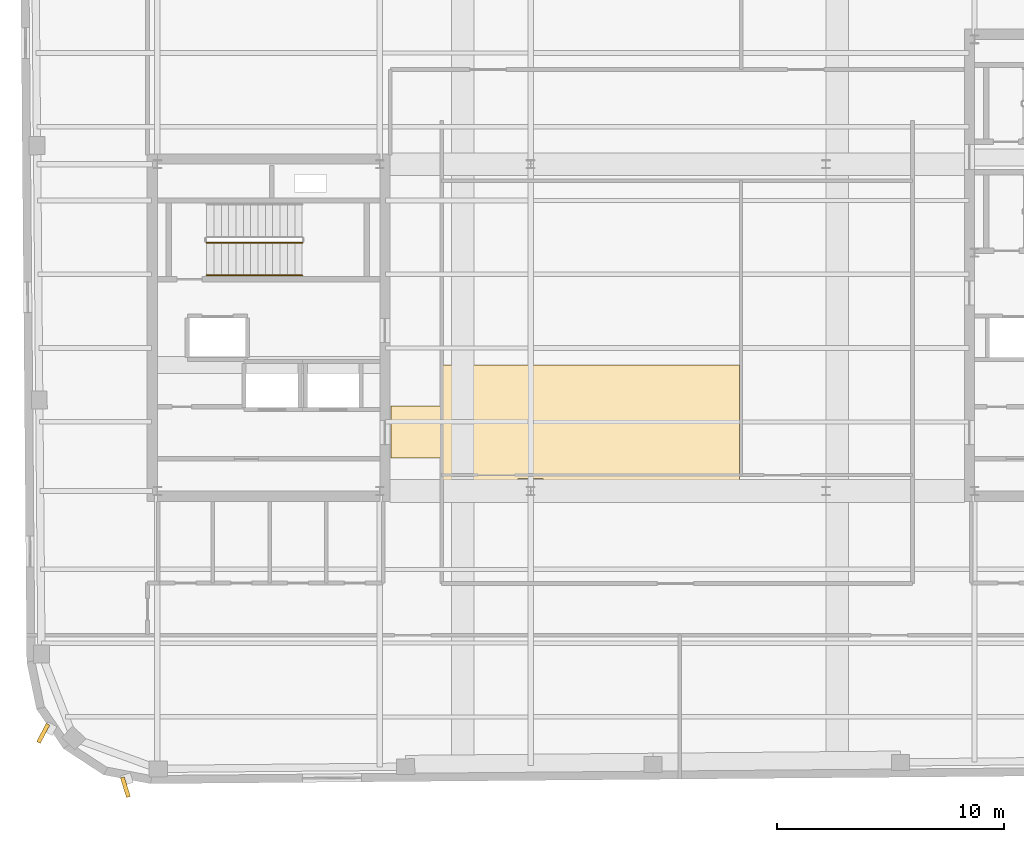
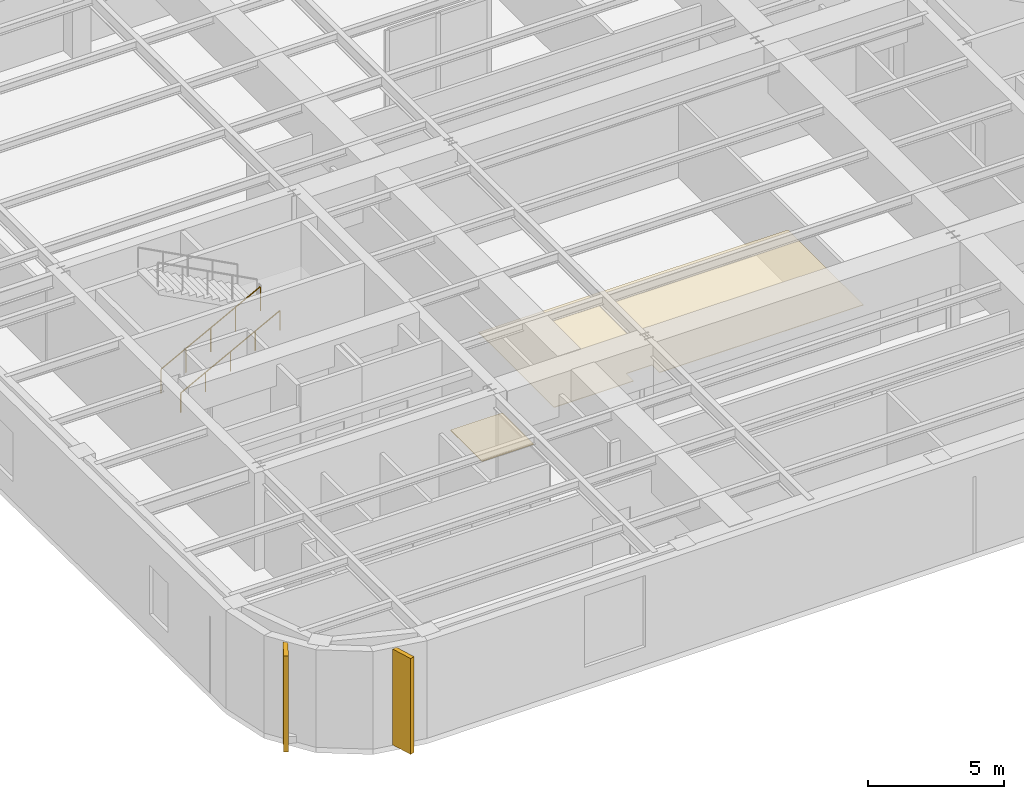
# One storey, part 11 of 14: 2 coverings, 2 railings, 2 shading devices.
"""IFC4 building model written with IfcOpenShell, lengths in metres."""

import ifcopenshell
import ifcopenshell.guid

model = None  # the IFC model being written
_history = None  # IfcOwnerHistory: only IFC2X3 demands one
_inside = {}  # id of a spatial element -> (the spatial element, [elements in it])
_under = {}  # id of a project, library or spatial element -> (it, [spatial elements below it])
_declared = {}  # id of a project -> (the project, [libraries it declares])
_typed = {}  # id of a type object -> (the type object, [elements of that type])
_made_of = {}  # id of a material, layer set ... -> (it, [elements and type objects made of it])


def new_model(schema):
    """Start an empty IFC model of exactly this schema.

    Asked for "IFC4X3", IfcOpenShell would pick the latest addendum, in which some entities
    have other attributes; the version numbers below select the first issue.
    IFC2X3 requires an IfcOwnerHistory on every rooted entity: one is made here for all.
    """
    global model, _history
    if schema == "IFC4X3":
        model = ifcopenshell.file(schema_version=(4, 3, 0, 0))
    else:
        model = ifcopenshell.file(schema=schema)
    _inside.clear()
    _under.clear()
    _declared.clear()
    _typed.clear()
    _made_of.clear()
    _history = None
    if model.schema == "IFC2X3":
        org = make("IfcOrganization", Name="unknown")
        user = make(
            "IfcPersonAndOrganization",
            ThePerson=make("IfcPerson", FamilyName="unknown"),
            TheOrganization=org,
        )
        app = make(
            "IfcApplication",
            ApplicationDeveloper=org,
            Version="unknown",
            ApplicationFullName="unknown",
            ApplicationIdentifier="unknown",
        )
        _history = make(
            "IfcOwnerHistory",
            OwningUser=user,
            OwningApplication=app,
            ChangeAction="ADDED",
            CreationDate=0,
        )
    return model


def make(cls, **values):
    """One entity of the class cls with the attributes given. An attribute that is None is left unset."""
    return model.create_entity(
        cls, **{name: value for name, value in values.items() if value is not None}
    )


def rooted(cls, **values):
    """An entity with a GlobalId (a new one), such as an element, a storey or a relation."""
    return make(cls, GlobalId=ifcopenshell.guid.new(), OwnerHistory=_history, **values)


def si_unit(unit_type, name, prefix=None):
    """IfcSIUnit, for example si_unit("LENGTHUNIT", "METRE", prefix="MILLI")."""
    return make("IfcSIUnit", UnitType=unit_type, Prefix=prefix, Name=name)


def assignment(units):
    """IfcUnitAssignment: the units of a project."""
    return None if units is None else make("IfcUnitAssignment", Units=units)


def point(xyz):
    """IfcCartesianPoint."""
    return None if xyz is None else make("IfcCartesianPoint", Coordinates=xyz)


def direction(xyz):
    """IfcDirection."""
    return None if xyz is None else make("IfcDirection", DirectionRatios=xyz)


def frame(location, z_axis=None, x_axis=None):
    """IfcAxis2Placement3D, a coordinate frame: its origin and axes. An axis left out is left unset."""
    return make(
        "IfcAxis2Placement3D",
        Location=point(location),
        Axis=direction(z_axis),
        RefDirection=direction(x_axis),
    )


def frame_2d(location, x_axis=None):
    """IfcAxis2Placement2D, a coordinate frame in the plane: its origin and x axis."""
    return make(
        "IfcAxis2Placement2D", Location=point(location), RefDirection=direction(x_axis)
    )


def origin():
    """The frame at (0, 0, 0) with its axes left unset."""
    return frame((0.0, 0.0, 0.0))


def origin_2d():
    """The frame at (0, 0) in the plane with its x axis left unset."""
    return frame_2d((0.0, 0.0))


def place(relative_to, where):
    """IfcLocalPlacement: puts the frame where relative to a parent placement (None: the world)."""
    return make(
        "IfcLocalPlacement", PlacementRelTo=relative_to, RelativePlacement=where
    )


def context(
    kind, dimensions, precision=None, world=None, true_north=None, identifier=None
):
    """IfcGeometricRepresentationContext, for example the 3D "Model" context."""
    return make(
        "IfcGeometricRepresentationContext",
        ContextIdentifier=identifier,
        ContextType=kind,
        CoordinateSpaceDimension=dimensions,
        Precision=precision,
        WorldCoordinateSystem=world,
        TrueNorth=true_north,
    )


def subcontext(parent, identifier, kind, view, scale=None):
    """IfcGeometricRepresentationSubContext, for example "Body" below "Model"."""
    return make(
        "IfcGeometricRepresentationSubContext",
        ContextIdentifier=identifier,
        ContextType=kind,
        ParentContext=parent,
        TargetScale=scale,
        TargetView=view,
    )


def project(units=None, contexts=None):
    """IfcProject with its units and contexts."""
    return rooted(
        "IfcProject",
        Name="project",
        RepresentationContexts=contexts,
        UnitsInContext=assignment(units),
    )


def spatial(cls, under=None, at=None, **own):
    """A site, building, storey or space (cls), placed at a placement, below another one or the project."""
    s = rooted(cls, ObjectPlacement=at, **own)
    if under is not None:
        _under.setdefault(under.id(), (under, []))[1].append(s)
    return s


def polyline(points):
    """IfcPolyline through the points."""
    return make("IfcPolyline", Points=[point(p) for p in points])


def profile(cls, at=None, kind="AREA", **sizes):
    """A parametric profile (cls). Its sizes go by their IFC names, for example OverallWidth=200.0."""
    return make(cls, ProfileType=kind, Position=at, **sizes)


def rectangle(**sizes):
    """IfcRectangleProfileDef."""
    return profile("IfcRectangleProfileDef", **sizes)


def circle(**sizes):
    """IfcCircleProfileDef."""
    return profile("IfcCircleProfileDef", **sizes)


def outline(outer, holes=None, kind="AREA"):
    """IfcArbitraryClosedProfileDef: a profile drawn as a closed curve; with holes, ...WithVoids."""
    if holes is None:
        return make("IfcArbitraryClosedProfileDef", ProfileType=kind, OuterCurve=outer)
    return make(
        "IfcArbitraryProfileDefWithVoids",
        ProfileType=kind,
        OuterCurve=outer,
        InnerCurves=holes,
    )


def extrude(swept, where, along, depth):
    """IfcExtrudedAreaSolid: the profile swept, set in the frame where, extruded along a direction by depth."""
    return make(
        "IfcExtrudedAreaSolid",
        SweptArea=swept,
        Position=where,
        ExtrudedDirection=direction(along),
        Depth=depth,
    )


def shape(context_of_items, identifier, shape_type, items):
    """IfcShapeRepresentation: the items that make up one representation, for example the "Body"."""
    return make(
        "IfcShapeRepresentation",
        ContextOfItems=context_of_items,
        RepresentationIdentifier=identifier,
        RepresentationType=shape_type,
        Items=items,
    )


def material(Name=None, Category=None):
    """IfcMaterial."""
    return make("IfcMaterial", Name=Name, Category=Category)


def layer(
    of_material, thickness, ventilated=None, Name=None, Category=None, Priority=None
):
    """IfcMaterialLayer: one layer of a wall or slab, of a material (None: an air gap)."""
    return make(
        "IfcMaterialLayer",
        Material=of_material,
        LayerThickness=thickness,
        IsVentilated=ventilated,
        Name=Name,
        Category=Category,
        Priority=Priority,
    )


def layer_set(layers, Name=None):
    """IfcMaterialLayerSet."""
    return make("IfcMaterialLayerSet", MaterialLayers=layers, LayerSetName=Name)


def made_of(thing, what):
    """Note that an element or type object is made of a material, layer set ...; save() writes the relation."""
    if what is not None:
        _made_of.setdefault(what.id(), (what, []))[1].append(thing)
    return thing


def type_object(cls, material=None, **own):
    """A type object (cls), such as IfcWallType, which elements share."""
    return made_of(rooted(cls, **own), material)


def element(
    cls,
    number,
    at=None,
    inside=None,
    cuts=None,
    type_object=None,
    material=None,
    context=None,
    identifier="Body",
    shape_type=None,
    held_by="IfcProductDefinitionShape",
    body=None,
    shapes=None,
    **own,
):
    """One element of the class cls, such as IfcWall. Its Tag is "e" and its number.

    at: its placement. inside: the storey or other place that contains it. cuts: it is an
    opening in that element (IfcRelVoidsElement). A single representation is given by context,
    identifier, shape_type and body (its items); several are given by shapes. held_by: the class
    of the entity that holds the representations. save() writes the other relations.
    """
    e = rooted(cls, Tag="e%d" % number, ObjectPlacement=at, **own)
    if body is not None:
        shapes = [shape(context, identifier, shape_type, body)]
    if shapes is not None:
        e.Representation = make(held_by, Representations=shapes)
    if inside is not None:
        _inside.setdefault(inside.id(), (inside, []))[1].append(e)
    if cuts is not None:
        rooted(
            "IfcRelVoidsElement", RelatingBuildingElement=cuts, RelatedOpeningElement=e
        )
    if type_object is not None:
        _typed.setdefault(type_object.id(), (type_object, []))[1].append(e)
    return made_of(e, material)


def aggregate(whole, parts):
    """IfcRelAggregates: a whole, such as a stair, and the parts it consists of."""
    return rooted("IfcRelAggregates", RelatingObject=whole, RelatedObjects=parts)


def save(model, path):
    """Write the relations noted so far, then the file.

    IfcRelAggregates (storeys below a building ...), IfcRelContainedInSpatialStructure (elements
    in a storey), IfcRelDefinesByType, IfcRelAssociatesMaterial and IfcRelDeclares: one each for
    every whole, place, type object, material and project.
    """
    for whole, parts in _under.values():
        aggregate(whole, parts)
    for where, things in _inside.values():
        rooted(
            "IfcRelContainedInSpatialStructure",
            RelatedElements=things,
            RelatingStructure=where,
        )
    for kind, things in _typed.values():
        rooted("IfcRelDefinesByType", RelatedObjects=things, RelatingType=kind)
    for what, things in _made_of.values():
        rooted("IfcRelAssociatesMaterial", RelatedObjects=things, RelatingMaterial=what)
    for by, libraries in _declared.values():
        rooted("IfcRelDeclares", RelatingContext=by, RelatedDefinitions=libraries)
    model.write(path)


model = new_model("IFC4")

# Units and contexts
model_context = context("Model", 3, precision=1e-05, world=origin(), true_north=direction((0.0, 1.0)))
body_context = subcontext(model_context, "Body", "Model", "MODEL_VIEW")
ifc_project = project(units=[si_unit("LENGTHUNIT", "METRE"), si_unit("AREAUNIT", "SQUARE_METRE"), si_unit("VOLUMEUNIT", "CUBIC_METRE"), si_unit("PLANEANGLEUNIT", "RADIAN"), si_unit("MASSUNIT", "GRAM", prefix="KILO")], contexts=[model_context])

# Site, building, storey
site_placement = place(None, origin())
site = spatial("IfcSite", under=ifc_project, at=site_placement, CompositionType="ELEMENT")
building_placement = place(site_placement, origin())
building = spatial("IfcBuilding", under=site, at=building_placement, Name="Kolvaren Arena Tower", CompositionType="ELEMENT")
storey_placement = place(building_placement, frame((0.0, 0.0, 317.199951171875)))
storey = spatial("IfcBuildingStorey", under=building, at=storey_placement, Name="L78", CompositionType="ELEMENT", Elevation=317.199951171875)

# Coverings
ifc_material_1 = material(Name="Mineral fibre acoustic ceiling tile", Category="gypsum")
ifc_layer_1 = layer(ifc_material_1, 0.02490234375)
ifc_layer_set_1 = layer_set([ifc_layer_1], Name="Mineral fibre acoustic ceiling tile")
covering_type_1 = type_object("IfcCoveringType", Name="CEIL-ACT-1", PredefinedType="CEILING", material=ifc_layer_set_1)
covering_1_placement = place(storey_placement, frame((0.0, 0.0, 2.52001953125)))
element("IfcCovering", 1, at=covering_1_placement, inside=storey, type_object=covering_type_1, Name="Suspended Ceiling (L78)", PredefinedType="CEILING", context=body_context, shape_type="SweptSolid", body=[
    extrude(outline(polyline([(27.080078125, 19.449951171875), (27.080078125, 25.0), (40.199951171875, 25.0), (40.199951171875, 19.449951171875), (31.550048828125, 19.449951171875), (31.550048828125, 20.0), (30.449951171875, 20.0), (30.449951171875, 19.449951171875), (27.080078125, 19.449951171875)])), origin(), (0.0, 0.0, 1.0), 0.025146484375),
])
ifc_material_2 = material(Name="Polished granite terrazzo flooring", Category="masonry")
ifc_layer_2 = layer(ifc_material_2, 0.034912109375)
ifc_layer_set_2 = layer_set([ifc_layer_2], Name="Polished granite terrazzo flooring")
covering_type_2 = type_object("IfcCoveringType", Name="FLOR-TRZ-1", PredefinedType="FLOORING", material=ifc_layer_set_2)
covering_2_placement = place(storey_placement, origin())
element("IfcCovering", 2, at=covering_2_placement, inside=storey, type_object=covering_type_2, Name="Floor Finish (L78)", PredefinedType="FLOORING", context=body_context, shape_type="SweptSolid", body=[
    extrude(outline(polyline([(24.85009765625, 20.89990234375), (24.85009765625, 23.199951171875), (27.050048828125, 23.199951171875), (27.050048828125, 20.89990234375), (24.85009765625, 20.89990234375)])), origin(), (0.0, 0.0, 1.0), 0.03515625),
])

# Railings
ifc_material_3 = material(Name="Painted galvanized steel", Category="steel")
railing_type_1 = type_object("IfcRailingType", Name="GUARD-ST-110", PredefinedType="GUARDRAIL", material=ifc_material_3)
railing_1_placement = place(storey_placement, frame((16.719970703125, 30.389892578125, 0.17138671875)))
element("IfcRailing", 3, at=railing_1_placement, inside=storey, type_object=railing_type_1, Name="L78 ST-W1 stair guard 1", PredefinedType="GUARDRAIL", context=body_context, shape_type="SweptSolid", body=[
    extrude(circle(Radius=0.02392578125, at=origin_2d()), frame((0.0, 0.0, 1.076171875), z_axis=(0.883881365342, 0.0, 0.467711163007), x_axis=(0.0, 1.0, 0.0)), (0.0, 0.0, 1.0), 4.76513671875),
    extrude(circle(Radius=0.02099609375, at=origin_2d()), origin(), (0.0, 0.0, 1.0), 1.052001953125),
    extrude(circle(Radius=0.02099609375, at=origin_2d()), frame((1.052978515625, 0.0, 0.55712890625)), (0.0, 0.0, 1.0), 1.052001953125),
    extrude(circle(Radius=0.02099609375, at=origin_2d()), frame((2.10595703125, 0.0, 1.1142578125)), (0.0, 0.0, 1.0), 1.052001953125),
    extrude(circle(Radius=0.02099609375, at=origin_2d()), frame((3.158935546875, 0.0, 1.671630859375)), (0.0, 0.0, 1.0), 1.052001953125),
    extrude(circle(Radius=0.02099609375, at=origin_2d()), frame((4.2119140625, 0.0, 2.228759765625)), (0.0, 0.0, 1.0), 1.052001953125),
])
ifc_material_4 = material(Name="Brushed stainless steel handrail", Category="steel")
railing_type_2 = type_object("IfcRailingType", Name="HRAIL-900", PredefinedType="HANDRAIL", material=ifc_material_4)
railing_2_placement = place(storey_placement, frame((16.719970703125, 28.949951171875, 0.17138671875)))
element("IfcRailing", 4, at=railing_2_placement, inside=storey, type_object=railing_type_2, Name="L78 ST-W1 stair handrail 1", PredefinedType="HANDRAIL", context=body_context, shape_type="SweptSolid", body=[
    extrude(circle(Radius=0.02392578125, at=origin_2d()), frame((0.0, 0.0, 0.8759765625), z_axis=(0.883881365342, 0.0, 0.467711163007), x_axis=(0.0, 1.0, 0.0)), (0.0, 0.0, 1.0), 4.76513671875),
    extrude(circle(Radius=0.02099609375, at=origin_2d()), origin(), (0.0, 0.0, 1.0), 0.851806640625),
    extrude(circle(Radius=0.02099609375, at=origin_2d()), frame((1.052978515625, 0.0, 0.55712890625)), (0.0, 0.0, 1.0), 0.851806640625),
    extrude(circle(Radius=0.02099609375, at=origin_2d()), frame((2.10595703125, 0.0, 1.1142578125)), (0.0, 0.0, 1.0), 0.851806640625),
    extrude(circle(Radius=0.02099609375, at=origin_2d()), frame((3.158935546875, 0.0, 1.671630859375)), (0.0, 0.0, 1.0), 0.851806640625),
    extrude(circle(Radius=0.02099609375, at=origin_2d()), frame((4.2119140625, 0.0, 2.228759765625)), (0.0, 0.0, 1.0), 0.851806640625),
])

# Shading devices
ifc_material_5 = material(Name="Precast architectural concrete C50/60 rib fin", Category="concrete")
shading_device_type = type_object("IfcShadingDeviceType", Name="SHAD-FIN-28", PredefinedType="USERDEFINED", material=ifc_material_5)
for number, where, z_axis, x_axis, name in (
    (5, (9.525146484375, 8.77392578125, 0.02001953125), (0.0, 0.0, 1.0), (-0.465619154103, -0.884985199499, 0.0), "Precast 28-Deg Corner Rib Fin (L78)"),
    (6, (13.1455078125, 6.400390625, 0.02001953125), (0.0, 0.0, 1.0), (0.296541574976, -0.955019944457, 0.0), "Precast 28-Deg Corner Rib Fin (L78)"),
):
    element("IfcShadingDevice", number, at=place(storey_placement, frame(where, z_axis=z_axis, x_axis=x_axis)), inside=storey, type_object=shading_device_type, Name=name, ObjectType="FIN", PredefinedType="USERDEFINED", context=body_context, shape_type="SweptSolid", body=[
        extrude(rectangle(XDim=0.89990234375, YDim=0.179931640625, at=origin_2d()), origin(), (0.0, 0.0, 1.0), 4.300048828125),
    ])

save(model, "model.ifc")
